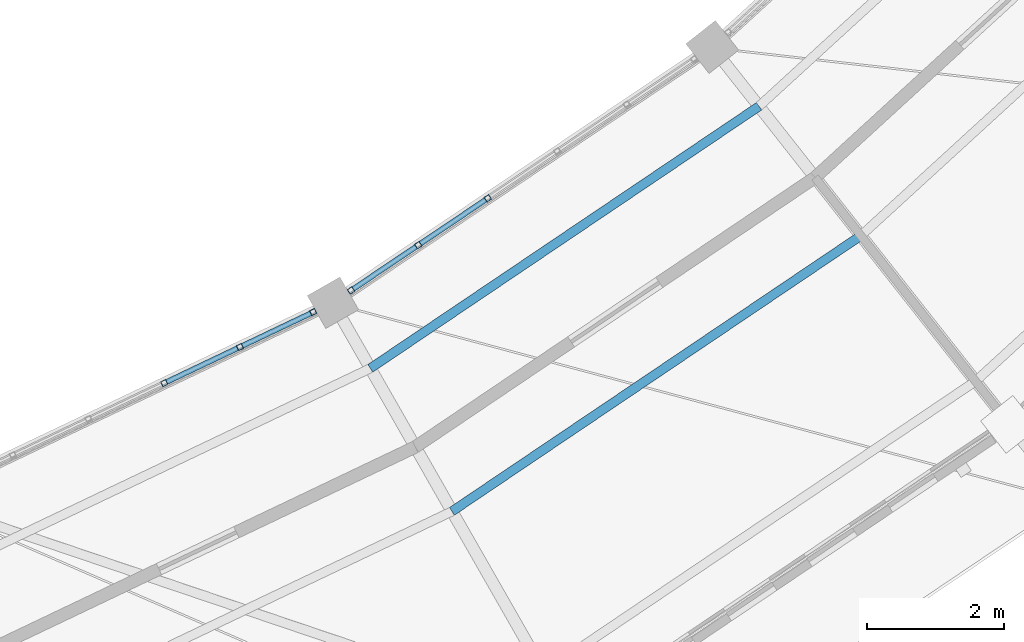
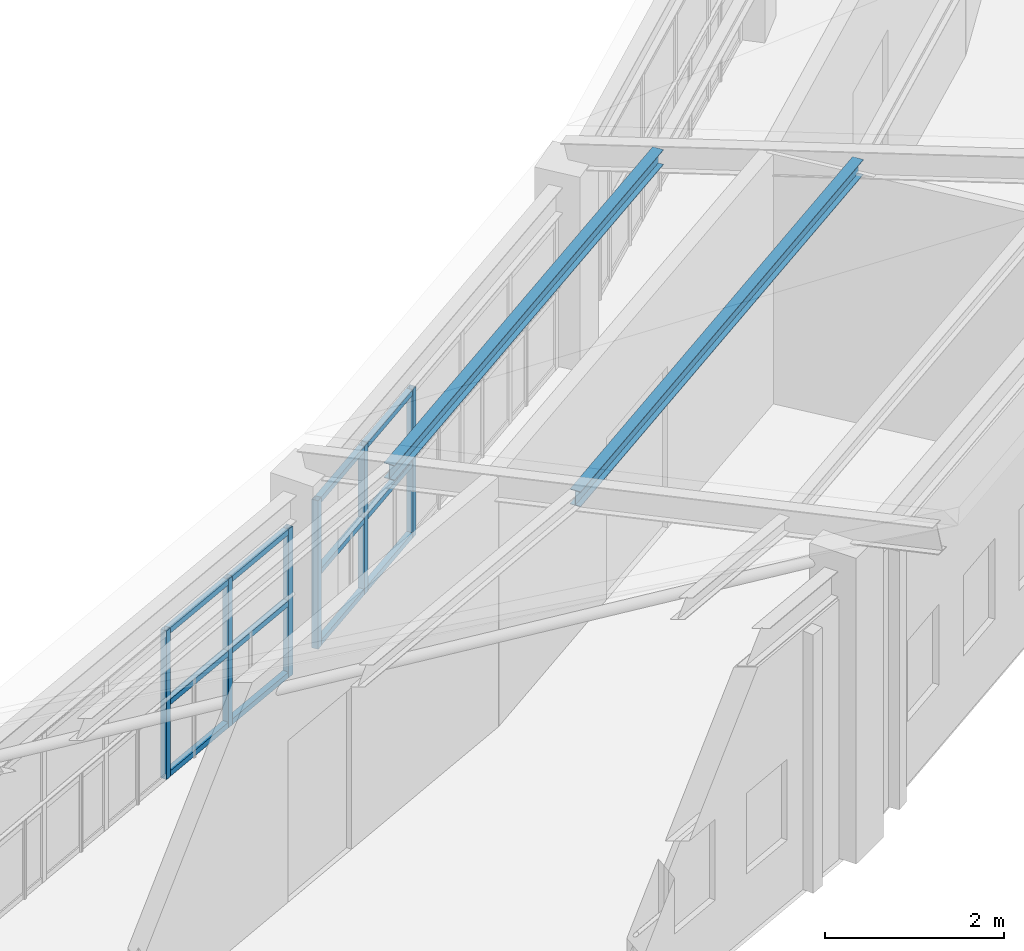
# One storey, part 46 of 149: 20 members, 2 elements without a shape of their own.
"""IFC4 building model written with IfcOpenShell, lengths in metres."""

from ifc_helpers import new_model, si_unit, direction, frame, origin, origin_2d, place, context, subcontext, project, spatial, hollow_rectangle, i_section, extrude, material, material_profile, profile_set, type_object, element, aggregate, save


model = new_model("IFC4")

# Units and contexts
model_context = context("Model", 3, precision=1e-05, world=origin(), true_north=direction((0.0, 1.0)))
body_context = subcontext(model_context, "Body", "Model", "MODEL_VIEW")
ifc_project = project(units=[si_unit("LENGTHUNIT", "METRE"), si_unit("AREAUNIT", "SQUARE_METRE"), si_unit("VOLUMEUNIT", "CUBIC_METRE"), si_unit("PLANEANGLEUNIT", "RADIAN"), si_unit("MASSUNIT", "GRAM", prefix="KILO")], contexts=[model_context])

# Site, building, storey
site_placement = place(None, origin())
site = spatial("IfcSite", under=ifc_project, at=site_placement, CompositionType="ELEMENT")
building_placement = place(site_placement, origin())
building = spatial("IfcBuilding", under=site, at=building_placement, Name="Celadon Cloister-Ring School", CompositionType="ELEMENT")
storey_placement = place(building_placement, frame((0.0, 0.0, 12.5)))
storey = spatial("IfcBuildingStorey", under=building, at=storey_placement, Name="L03", CompositionType="ELEMENT", Elevation=12.5)

# Curtain wall, members
ifc_material_1 = material(Name="Aluminium EN AW-6063 T6", Category="aluminium")
curtain_wall_type = type_object("IfcCurtainWallType", Name="CW-02", PredefinedType="USERDEFINED", material=ifc_material_1)
curtain_wall_1_placement = place(storey_placement, origin())
curtain_wall_1 = element("IfcCurtainWall", 1, at=curtain_wall_1_placement, inside=storey, type_object=curtain_wall_type, Name="Curtain Wall 0064", ObjectType="CURTAIN WALL", PredefinedType="USERDEFINED")
ifc_material_2 = material(Name="Aluminium EN AW-6063 T6", Category="aluminium")
ifc_material_profile_1 = material_profile(ifc_material_2, hollow_rectangle(XDim=0.080078125, YDim=0.080078125, WallThickness=0.00390625, at=origin_2d()), Name="RHS80X80X4")
ifc_profile_set_1 = profile_set([ifc_material_profile_1], Name="Aluminium EN AW-6063 T6")
member_type_1 = type_object("IfcMemberType", Name="CM-03", PredefinedType="MULLION", material=ifc_profile_set_1)
member_1_placement = place(storey_placement, frame((106.8623046875, 18.75439453125, 0.0), z_axis=(0.0, 0.0, 1.0), x_axis=(-0.430371984189, 0.902651624507, 0.0)))
member_1 = element("IfcMember", 2, at=member_1_placement, type_object=member_type_1, Name="CW-02 mullion 4", PredefinedType="MULLION", context=body_context, shape_type="SweptSolid", body=[
    extrude(hollow_rectangle(XDim=0.080078125, YDim=0.080078125, WallThickness=0.00390625, at=origin_2d()), origin(), (0.0, 0.0, 1.0), 2.02001953125),
])
member_2_placement = place(storey_placement, frame((107.965087890625, 19.2802734375, 0.0), z_axis=(0.0, 0.0, 1.0), x_axis=(-0.430371984189, 0.902651624507, 0.0)))
member_2 = element("IfcMember", 3, at=member_2_placement, type_object=member_type_1, Name="CW-02 mullion 5", PredefinedType="MULLION", context=body_context, shape_type="SweptSolid", body=[
    extrude(hollow_rectangle(XDim=0.080078125, YDim=0.080078125, WallThickness=0.00390625, at=origin_2d()), origin(), (0.0, 0.0, 1.0), 2.02001953125),
])
member_3_placement = place(storey_placement, frame((109.031982421875, 19.788818359375, 0.0), z_axis=(0.0, 0.0, 1.0), x_axis=(-0.430371984189, 0.902651624507, 0.0)))
member_3 = element("IfcMember", 4, at=member_3_placement, type_object=member_type_1, Name="CW-02 mullion 6", PredefinedType="MULLION", context=body_context, shape_type="SweptSolid", body=[
    extrude(hollow_rectangle(XDim=0.080078125, YDim=0.080078125, WallThickness=0.00390625, at=origin_2d()), origin(), (0.0, 0.0, 1.0), 2.02001953125),
])

curtain_wall_2_placement = place(storey_placement, origin())
curtain_wall_2 = element("IfcCurtainWall", 5, at=curtain_wall_2_placement, inside=storey, type_object=curtain_wall_type, Name="Curtain Wall 0065", ObjectType="CURTAIN WALL", PredefinedType="USERDEFINED")
member_4_placement = place(storey_placement, frame((109.584228515625, 20.104248046875, 0.0), z_axis=(0.0, 0.0, 1.0), x_axis=(-0.558848567753, 0.829269725916, 0.0)))
member_4 = element("IfcMember", 6, at=member_4_placement, type_object=member_type_1, Name="CW-02 mullion 1", PredefinedType="MULLION", context=body_context, shape_type="SweptSolid", body=[
    extrude(hollow_rectangle(XDim=0.080078125, YDim=0.080078125, WallThickness=0.00390625, at=origin_2d()), origin(), (0.0, 0.0, 1.0), 2.02001953125),
])
member_5_placement = place(storey_placement, frame((110.564208984375, 20.764892578125, 0.0), z_axis=(0.0, 0.0, 1.0), x_axis=(-0.558848567753, 0.829269725916, 0.0)))
member_5 = element("IfcMember", 7, at=member_5_placement, type_object=member_type_1, Name="CW-02 mullion 2", PredefinedType="MULLION", context=body_context, shape_type="SweptSolid", body=[
    extrude(hollow_rectangle(XDim=0.080078125, YDim=0.080078125, WallThickness=0.00390625, at=origin_2d()), origin(), (0.0, 0.0, 1.0), 2.02001953125),
])
member_6_placement = place(storey_placement, frame((111.577392578125, 21.447509765625, 0.0), z_axis=(0.0, 0.0, 1.0), x_axis=(-0.558848567753, 0.829269725916, 0.0)))
member_6 = element("IfcMember", 8, at=member_6_placement, type_object=member_type_1, Name="CW-02 mullion 3", PredefinedType="MULLION", context=body_context, shape_type="SweptSolid", body=[
    extrude(hollow_rectangle(XDim=0.080078125, YDim=0.080078125, WallThickness=0.00390625, at=origin_2d()), origin(), (0.0, 0.0, 1.0), 2.02001953125),
])

# Member
ifc_material_3 = material(Name="Aluminium EN AW-6063 T6", Category="aluminium")
ifc_material_profile_2 = material_profile(ifc_material_3, hollow_rectangle(XDim=0.074951171875, YDim=0.074951171875, WallThickness=0.00390625, at=origin_2d()), Name="RHS75X75X4")
ifc_profile_set_2 = profile_set([ifc_material_profile_2], Name="Aluminium EN AW-6063 T6")
member_type_2 = type_object("IfcMemberType", Name="CTM-03", PredefinedType="USERDEFINED", material=ifc_profile_set_2)
member_7_placement = place(storey_placement, frame((106.8984375, 18.771728515625, 0.03759765625), z_axis=(0.902734007789, 0.43019915293, 0.0), x_axis=(-0.43019915293, 0.902734007789, 0.0)))
member_7 = element("IfcMember", 9, at=member_7_placement, type_object=member_type_2, Name="CW-02 transom 4.1", ObjectType="TRANSOM", PredefinedType="USERDEFINED", context=body_context, shape_type="SweptSolid", body=[
    extrude(hollow_rectangle(XDim=0.074951171875, YDim=0.074951171875, WallThickness=0.00390625, at=origin_2d()), origin(), (0.0, 0.0, 1.0), 1.141845703125),
])

member_8_placement = place(storey_placement, frame((106.8984375, 18.771728515625, 1.010009765625), z_axis=(0.902734007789, 0.43019915293, 0.0), x_axis=(-0.43019915293, 0.902734007789, 0.0)))
member_8 = element("IfcMember", 10, at=member_8_placement, type_object=member_type_2, Name="CW-02 transom 4.2", ObjectType="TRANSOM", PredefinedType="USERDEFINED", context=body_context, shape_type="SweptSolid", body=[
    extrude(hollow_rectangle(XDim=0.074951171875, YDim=0.074951171875, WallThickness=0.00390625, at=origin_2d()), origin(), (0.0, 0.0, 1.0), 1.141845703125),
])

member_9_placement = place(storey_placement, frame((106.8984375, 18.771728515625, 1.982421875), z_axis=(0.902734007789, 0.43019915293, 0.0), x_axis=(-0.43019915293, 0.902734007789, 0.0)))
member_9 = element("IfcMember", 11, at=member_9_placement, type_object=member_type_2, Name="CW-02 transom 4.3", ObjectType="TRANSOM", PredefinedType="USERDEFINED", context=body_context, shape_type="SweptSolid", body=[
    extrude(hollow_rectangle(XDim=0.074951171875, YDim=0.074951171875, WallThickness=0.00390625, at=origin_2d()), origin(), (0.0, 0.0, 1.0), 1.141845703125),
])

member_10_placement = place(storey_placement, frame((108.001220703125, 19.29736328125, 0.03759765625), z_axis=(0.902688430546, 0.430294779608, 0.0), x_axis=(-0.430294779608, 0.902688430546, 0.0)))
member_10 = element("IfcMember", 12, at=member_10_placement, type_object=member_type_2, Name="CW-02 transom 5.1", ObjectType="TRANSOM", PredefinedType="USERDEFINED", context=body_context, shape_type="SweptSolid", body=[
    extrude(hollow_rectangle(XDim=0.074951171875, YDim=0.074951171875, WallThickness=0.00390625, at=origin_2d()), origin(), (0.0, 0.0, 1.0), 1.101806640625),
])

member_11_placement = place(storey_placement, frame((108.001220703125, 19.29736328125, 1.010009765625), z_axis=(0.902688430546, 0.430294779608, 0.0), x_axis=(-0.430294779608, 0.902688430546, 0.0)))
member_11 = element("IfcMember", 13, at=member_11_placement, type_object=member_type_2, Name="CW-02 transom 5.2", ObjectType="TRANSOM", PredefinedType="USERDEFINED", context=body_context, shape_type="SweptSolid", body=[
    extrude(hollow_rectangle(XDim=0.074951171875, YDim=0.074951171875, WallThickness=0.00390625, at=origin_2d()), origin(), (0.0, 0.0, 1.0), 1.101806640625),
])

member_12_placement = place(storey_placement, frame((108.001220703125, 19.29736328125, 1.982421875), z_axis=(0.902688430546, 0.430294779608, 0.0), x_axis=(-0.430294779608, 0.902688430546, 0.0)))
member_12 = element("IfcMember", 14, at=member_12_placement, type_object=member_type_2, Name="CW-02 transom 5.3", ObjectType="TRANSOM", PredefinedType="USERDEFINED", context=body_context, shape_type="SweptSolid", body=[
    extrude(hollow_rectangle(XDim=0.074951171875, YDim=0.074951171875, WallThickness=0.00390625, at=origin_2d()), origin(), (0.0, 0.0, 1.0), 1.101806640625),
])

aggregate(curtain_wall_1, [member_1, member_2, member_3, member_7, member_8, member_9, member_10, member_11, member_12])

member_13_placement = place(storey_placement, frame((109.617431640625, 20.126708984375, 0.03759765625), z_axis=(0.829244100833, 0.558886590673, 0.0), x_axis=(-0.558886590673, 0.829244100833, 0.0)))
member_13 = element("IfcMember", 15, at=member_13_placement, type_object=member_type_2, Name="CW-02 transom 1.1", ObjectType="TRANSOM", PredefinedType="USERDEFINED", context=body_context, shape_type="SweptSolid", body=[
    extrude(hollow_rectangle(XDim=0.074951171875, YDim=0.074951171875, WallThickness=0.00390625, at=origin_2d()), origin(), (0.0, 0.0, 1.0), 1.101806640625),
])

member_14_placement = place(storey_placement, frame((109.617431640625, 20.126708984375, 1.010009765625), z_axis=(0.829244100833, 0.558886590673, 0.0), x_axis=(-0.558886590673, 0.829244100833, 0.0)))
member_14 = element("IfcMember", 16, at=member_14_placement, type_object=member_type_2, Name="CW-02 transom 1.2", ObjectType="TRANSOM", PredefinedType="USERDEFINED", context=body_context, shape_type="SweptSolid", body=[
    extrude(hollow_rectangle(XDim=0.074951171875, YDim=0.074951171875, WallThickness=0.00390625, at=origin_2d()), origin(), (0.0, 0.0, 1.0), 1.101806640625),
])

member_15_placement = place(storey_placement, frame((109.617431640625, 20.126708984375, 1.982421875), z_axis=(0.829244100833, 0.558886590673, 0.0), x_axis=(-0.558886590673, 0.829244100833, 0.0)))
member_15 = element("IfcMember", 17, at=member_15_placement, type_object=member_type_2, Name="CW-02 transom 1.3", ObjectType="TRANSOM", PredefinedType="USERDEFINED", context=body_context, shape_type="SweptSolid", body=[
    extrude(hollow_rectangle(XDim=0.074951171875, YDim=0.074951171875, WallThickness=0.00390625, at=origin_2d()), origin(), (0.0, 0.0, 1.0), 1.101806640625),
])

member_16_placement = place(storey_placement, frame((110.597412109375, 20.787109375, 0.03759765625), z_axis=(0.829210413566, 0.558936570671, 0.0), x_axis=(-0.558936570671, 0.829210413566, 0.0)))
member_16 = element("IfcMember", 18, at=member_16_placement, type_object=member_type_2, Name="CW-02 transom 2.1", ObjectType="TRANSOM", PredefinedType="USERDEFINED", context=body_context, shape_type="SweptSolid", body=[
    extrude(hollow_rectangle(XDim=0.074951171875, YDim=0.074951171875, WallThickness=0.00390625, at=origin_2d()), origin(), (0.0, 0.0, 1.0), 1.141845703125),
])

member_17_placement = place(storey_placement, frame((110.597412109375, 20.787109375, 1.010009765625), z_axis=(0.829210413566, 0.558936570671, 0.0), x_axis=(-0.558936570671, 0.829210413566, 0.0)))
member_17 = element("IfcMember", 19, at=member_17_placement, type_object=member_type_2, Name="CW-02 transom 2.2", ObjectType="TRANSOM", PredefinedType="USERDEFINED", context=body_context, shape_type="SweptSolid", body=[
    extrude(hollow_rectangle(XDim=0.074951171875, YDim=0.074951171875, WallThickness=0.00390625, at=origin_2d()), origin(), (0.0, 0.0, 1.0), 1.141845703125),
])

member_18_placement = place(storey_placement, frame((110.597412109375, 20.787109375, 1.982421875), z_axis=(0.829210413566, 0.558936570671, 0.0), x_axis=(-0.558936570671, 0.829210413566, 0.0)))
member_18 = element("IfcMember", 20, at=member_18_placement, type_object=member_type_2, Name="CW-02 transom 2.3", ObjectType="TRANSOM", PredefinedType="USERDEFINED", context=body_context, shape_type="SweptSolid", body=[
    extrude(hollow_rectangle(XDim=0.074951171875, YDim=0.074951171875, WallThickness=0.00390625, at=origin_2d()), origin(), (0.0, 0.0, 1.0), 1.141845703125),
])

aggregate(curtain_wall_2, [member_4, member_5, member_6, member_13, member_14, member_15, member_16, member_17, member_18])

# Members
ifc_material_4 = material(Name="Structural steel S355JR", Category="steel")
ifc_material_profile_3 = material_profile(ifc_material_4, i_section(OverallWidth=0.133056640625, OverallDepth=0.20703125, WebThickness=0.005859375, FlangeThickness=0.00830078125, at=origin_2d()), Name="W200X27")
ifc_profile_set_3 = profile_set([ifc_material_profile_3], Name="Structural steel S355JR")
member_type_3 = type_object("IfcMemberType", Name="MP-04", PredefinedType="PURLIN", material=ifc_profile_set_3)
member_19_placement = place(storey_placement, frame((109.865966796875, 18.969970703125, 2.970947265625), z_axis=(0.829151889923, 0.559023383623, 0.0), x_axis=(-0.559023383623, 0.829151889923, 0.0)))
element("IfcMember", 21, at=member_19_placement, inside=storey, type_object=member_type_3, Name="Structural Member 0185", PredefinedType="PURLIN", context=body_context, shape_type="SweptSolid", body=[
    extrude(i_section(OverallWidth=0.133056640625, OverallDepth=0.20703125, WebThickness=0.005859375, FlangeThickness=0.00830078125, at=origin_2d()), origin(), (0.0, 0.0, 1.0), 6.830078125),
])
member_20_placement = place(storey_placement, frame((111.055908203125, 16.885986328125, 3.4599609375), z_axis=(0.829143180619, 0.559036301176, 0.0), x_axis=(-0.559036301176, 0.829143180619, 0.0)))
element("IfcMember", 22, at=member_20_placement, inside=storey, type_object=member_type_3, Name="Structural Member 0186", PredefinedType="PURLIN", context=body_context, shape_type="SweptSolid", body=[
    extrude(i_section(OverallWidth=0.133056640625, OverallDepth=0.20703125, WebThickness=0.005859375, FlangeThickness=0.00830078125, at=origin_2d()), origin(), (0.0, 0.0, 1.0), 7.185791015625),
])

save(model, "model.ifc")
